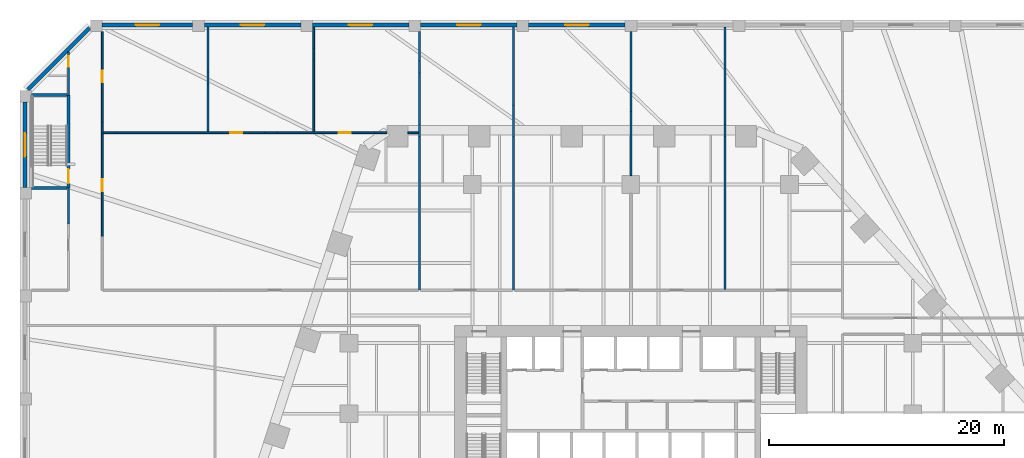
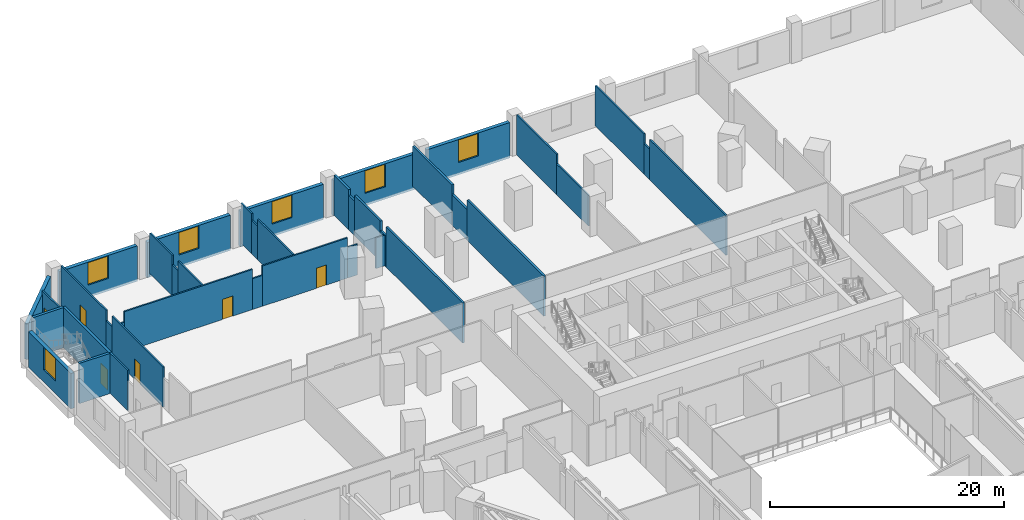
# One storey, part 23 of 32: 40 walls, 6 doors, 6 windows, 12 openings.
"""IFC4 building model written with IfcOpenShell, lengths in metres."""

from ifc_helpers import new_model, si_unit, direction, frame, frame_2d, origin, place, context, subcontext, project, spatial, rectangle, extrude, material, layer, layer_set, type_object, element, fill, save


model = new_model("IFC4")

# Units and contexts
model_context = context("Model", 3, precision=1e-05, world=origin(), true_north=direction((0.0, 1.0)))
body_context = subcontext(model_context, "Body", "Model", "MODEL_VIEW")
ifc_project = project(units=[si_unit("LENGTHUNIT", "METRE"), si_unit("AREAUNIT", "SQUARE_METRE"), si_unit("VOLUMEUNIT", "CUBIC_METRE"), si_unit("PLANEANGLEUNIT", "RADIAN"), si_unit("MASSUNIT", "GRAM", prefix="KILO")], contexts=[model_context])

# Site, building, storey
site_placement = place(None, origin())
site = spatial("IfcSite", under=ifc_project, at=site_placement, CompositionType="ELEMENT")
building_placement = place(site_placement, origin())
building = spatial("IfcBuilding", under=site, at=building_placement, Name="Isthmus Gate Tower", CompositionType="ELEMENT")
storey_placement = place(building_placement, frame((0.0, 0.0, 18.0)))
storey = spatial("IfcBuildingStorey", under=building, at=storey_placement, Name="L02", CompositionType="ELEMENT", Elevation=18.0)

# Walls
ifc_material_1 = material(Name="Concrete f'c 30 MPa", Category="concrete")
ifc_layer_1 = layer(ifc_material_1, 0.199951171875)
ifc_layer_set_1 = layer_set([ifc_layer_1], Name="Fire-rated block wall 200")
wall_type_1 = type_object("IfcWallType", Name="Fire-rated block wall 200", PredefinedType="PARTITIONING", material=ifc_layer_set_1)
wall_1_placement = place(storey_placement, frame((-18.0, 18.0, 0.0), z_axis=(0.0, 0.0, 1.0), x_axis=(0.0, 1.0, 0.0)))
element("IfcWall", 1, at=wall_1_placement, inside=storey, type_object=wall_type_1, Name="Fire-rated wall", PredefinedType="PARTITIONING", context=body_context, shape_type="SweptSolid", body=[
    extrude(rectangle(XDim=13.10009765625, YDim=0.199951171875, at=frame_2d((6.550048828125, 0.0))), origin(), (0.0, 0.0, 1.0), 4.199951171875),
])
wall_2_placement = place(storey_placement, frame((-18.0, 31.10009765625, 0.0), z_axis=(0.0, 0.0, 1.0), x_axis=(0.0, 1.0, 0.0)))
element("IfcWall", 2, at=wall_2_placement, inside=storey, type_object=wall_type_1, Name="Fire-rated wall", PredefinedType="PARTITIONING", context=body_context, shape_type="SweptSolid", body=[
    extrude(rectangle(XDim=1.0, YDim=0.199951171875, at=frame_2d((0.5, 0.0))), origin(), (0.0, 0.0, 1.0), 3.199951171875),
])
wall_3_placement = place(storey_placement, frame((-18.0, 32.10009765625, 0.0), z_axis=(0.0, 0.0, 1.0), x_axis=(0.0, 1.0, 0.0)))
element("IfcWall", 3, at=wall_3_placement, inside=storey, type_object=wall_type_1, Name="Fire-rated wall", PredefinedType="PARTITIONING", context=body_context, shape_type="SweptSolid", body=[
    extrude(rectangle(XDim=4.39990234375, YDim=0.199951171875, at=frame_2d((2.199951171875, 0.0))), origin(), (0.0, 0.0, 1.0), 4.199951171875),
])
wall_4_placement = place(storey_placement, frame((-18.0, 36.5, 0.0), z_axis=(0.0, 0.0, 1.0), x_axis=(0.0, 1.0, 0.0)))
element("IfcWall", 4, at=wall_4_placement, inside=storey, type_object=wall_type_1, Name="Fire-rated wall", PredefinedType="PARTITIONING", context=body_context, shape_type="SweptSolid", body=[
    extrude(rectangle(XDim=1.0, YDim=0.199951171875, at=frame_2d((0.5, 0.0))), origin(), (0.0, 0.0, 1.0), 3.5966796875),
])
wall_5_placement = place(storey_placement, frame((-18.0, 37.5, 0.0), z_axis=(0.0, 0.0, 1.0), x_axis=(0.0, 1.0, 0.0)))
element("IfcWall", 5, at=wall_5_placement, inside=storey, type_object=wall_type_1, Name="Fire-rated wall", PredefinedType="PARTITIONING", context=body_context, shape_type="SweptSolid", body=[
    extrude(rectangle(XDim=2.5, YDim=0.199951171875, at=frame_2d((1.25, 0.0))), origin(), (0.0, 0.0, 1.0), 4.199951171875),
])
wall_6_placement = place(storey_placement, frame((-10.0, 18.0, 0.0), z_axis=(0.0, 0.0, 1.0), x_axis=(0.0, 1.0, 0.0)))
element("IfcWall", 6, at=wall_6_placement, inside=storey, type_object=wall_type_1, Name="Fire-rated wall", PredefinedType="PARTITIONING", context=body_context, shape_type="SweptSolid", body=[
    extrude(rectangle(XDim=13.10009765625, YDim=0.199951171875, at=frame_2d((6.550048828125, 0.0))), origin(), (0.0, 0.0, 1.0), 4.199951171875),
])
wall_7_placement = place(storey_placement, frame((-10.0, 31.10009765625, 0.0), z_axis=(0.0, 0.0, 1.0), x_axis=(0.0, 1.0, 0.0)))
element("IfcWall", 7, at=wall_7_placement, inside=storey, type_object=wall_type_1, Name="Fire-rated wall", PredefinedType="PARTITIONING", context=body_context, shape_type="SweptSolid", body=[
    extrude(rectangle(XDim=2.6064453125, YDim=0.199951171875, at=frame_2d((1.30322265625, 0.0))), origin(), (0.0, 0.0, 1.0), 3.199951171875),
])
wall_8_placement = place(storey_placement, frame((-10.0, 33.70654296875, 0.0), z_axis=(0.0, 0.0, 1.0), x_axis=(0.0, 1.0, 0.0)))
element("IfcWall", 8, at=wall_8_placement, inside=storey, type_object=wall_type_1, Name="Fire-rated wall", PredefinedType="PARTITIONING", context=body_context, shape_type="SweptSolid", body=[
    extrude(rectangle(XDim=6.693359375, YDim=0.199951171875, at=frame_2d((3.3466796875, 0.0))), origin(), (0.0, 0.0, 1.0), 4.199951171875),
])
ifc_material_2 = material(Name="Fire-rated gypsum board on steel studs", Category="steel")
ifc_layer_2 = layer(ifc_material_2, 0.14990234375)
ifc_layer_set_2 = layer_set([ifc_layer_2], Name="Fire-rated partition 150 EI 60")
wall_type_2 = type_object("IfcWallType", Name="Fire-rated partition 150 EI 60", PredefinedType="PARTITIONING", material=ifc_layer_set_2)
wall_9_placement = place(storey_placement, frame((-47.875, 23.6162109375, 0.0), z_axis=(0.0, 0.0, 1.0), x_axis=(0.0, 1.0, 0.0)))
element("IfcWall", 9, at=wall_9_placement, inside=storey, type_object=wall_type_2, Name="Fire-rated partition", PredefinedType="PARTITIONING", context=body_context, shape_type="SweptSolid", body=[
    extrude(rectangle(XDim=3.083740234375, YDim=0.14990234375, at=frame_2d((1.5419921875, 0.0))), origin(), (0.0, 0.0, 1.0), 4.199951171875),
])

# Wall, opening, door
wall_10_placement = place(storey_placement, frame((-47.875, 34.60009765625, 0.0), z_axis=(0.0, 0.0, 1.0), x_axis=(0.0, 1.0, 0.0)))
wall_10 = element("IfcWall", 10, at=wall_10_placement, inside=storey, type_object=wall_type_2, Name="Fire-rated partition", PredefinedType="PARTITIONING", context=body_context, shape_type="SweptSolid", body=[
    extrude(rectangle(XDim=3.676513671875, YDim=0.14990234375, at=frame_2d((1.83837890625, 0.0))), origin(), (0.0, 0.0, 1.0), 3.66650390625),
])
opening_1_placement = place(wall_10_placement, frame((2.39990234375, 0.0, 0.0)))
opening_1 = element("IfcOpeningElement", 11, at=opening_1_placement, cuts=wall_10, Name="Opening DP02-03", PredefinedType="OPENING", context=body_context, shape_type="SweptSolid", body=[
    extrude(rectangle(XDim=0.89990234375, YDim=2.10009765625, at=frame_2d((0.449951171875, 1.050048828125))), frame((0.0, 0.0849609375, 0.0), z_axis=(0.0, -1.0, 0.0), x_axis=(1.0, 0.0, 0.0)), (0.0, 0.0, 1.0), 0.169921875),
])
ifc_material_3 = material(Name="Steel fire door with intumescent seals", Category="steel")
door_type_1 = type_object("IfcDoorType", Name="Fire door 900 x 2100", OperationType="SINGLE_SWING_LEFT", PredefinedType="DOOR", material=ifc_material_3)
door_1_placement = place(opening_1_placement, origin())
door_1 = element("IfcDoor", 12, at=door_1_placement, inside=storey, type_object=door_type_1, Name="Door DP02-03", OperationType="SINGLE_SWING_LEFT", OverallHeight=2.10009765625, OverallWidth=0.89990234375, PredefinedType="DOOR", context=body_context, shape_type="SweptSolid", body=[
    extrude(rectangle(XDim=0.89990234375, YDim=2.10009765625, at=frame_2d((0.449951171875, 1.050048828125))), frame((0.0, 0.02490234375, 0.0), z_axis=(0.0, -1.0, 0.0), x_axis=(1.0, 0.0, 0.0)), (0.0, 0.0, 1.0), 0.050048828125),
])
fill(opening_1, door_1)

wall_11_placement = place(storey_placement, frame((-45.0, 22.537353515625, 0.0), z_axis=(0.0, 0.0, 1.0), x_axis=(0.0, 1.0, 0.0)))
wall_11 = element("IfcWall", 13, at=wall_11_placement, inside=storey, type_object=wall_type_2, Name="Fire-rated partition", PredefinedType="PARTITIONING", context=body_context, shape_type="SweptSolid", body=[
    extrude(rectangle(XDim=8.758056640625, YDim=0.14990234375, at=frame_2d((4.37890625, 0.0))), origin(), (0.0, 0.0, 1.0), 4.199951171875),
])
opening_2_placement = place(wall_11_placement, frame((3.89990234375, 0.0, 0.0)))
opening_2 = element("IfcOpeningElement", 14, at=opening_2_placement, cuts=wall_11, Name="Opening DP02-41", PredefinedType="OPENING", context=body_context, shape_type="SweptSolid", body=[
    extrude(rectangle(XDim=1.0, YDim=2.10009765625, at=frame_2d((0.5, 1.050048828125))), frame((0.0, 0.0849609375, 0.0), z_axis=(0.0, -1.0, 0.0), x_axis=(1.0, 0.0, 0.0)), (0.0, 0.0, 1.0), 0.169921875),
])
ifc_material_4 = material(Name="Steel fire door with intumescent seals", Category="steel")
door_type_2 = type_object("IfcDoorType", Name="Fire door 1000 x 2100", OperationType="SINGLE_SWING_LEFT", PredefinedType="DOOR", material=ifc_material_4)
door_2_placement = place(opening_2_placement, origin())
door_2 = element("IfcDoor", 15, at=door_2_placement, inside=storey, type_object=door_type_2, Name="Door DP02-41", OperationType="SINGLE_SWING_LEFT", OverallHeight=2.10009765625, OverallWidth=1.0, PredefinedType="DOOR", context=body_context, shape_type="SweptSolid", body=[
    extrude(rectangle(XDim=1.0, YDim=2.10009765625, at=frame_2d((0.5, 1.050048828125))), frame((0.0, 0.02490234375, 0.0), z_axis=(0.0, -1.0, 0.0), x_axis=(1.0, 0.0, 0.0)), (0.0, 0.0, 1.0), 0.050048828125),
])
fill(opening_2, door_2)

# Wall
wall_12_placement = place(storey_placement, frame((-45.0, 31.29541015625, 0.0), z_axis=(0.0, 0.0, 1.0), x_axis=(0.0, 1.0, 0.0)))
element("IfcWall", 16, at=wall_12_placement, inside=storey, type_object=wall_type_2, Name="Fire-rated partition", PredefinedType="PARTITIONING", context=body_context, shape_type="SweptSolid", body=[
    extrude(rectangle(XDim=1.0, YDim=0.14990234375, at=frame_2d((0.5, 0.0))), origin(), (0.0, 0.0, 1.0), 3.111083984375),
])

# Wall, opening, door
wall_13_placement = place(storey_placement, frame((-45.0, 32.29541015625, 0.0), z_axis=(0.0, 0.0, 1.0), x_axis=(0.0, 1.0, 0.0)))
wall_13 = element("IfcWall", 17, at=wall_13_placement, inside=storey, type_object=wall_type_2, Name="Fire-rated partition", PredefinedType="PARTITIONING", context=body_context, shape_type="SweptSolid", body=[
    extrude(rectangle(XDim=7.70458984375, YDim=0.14990234375, at=frame_2d((3.852294921875, 0.0))), origin(), (0.0, 0.0, 1.0), 4.199951171875),
])
opening_3_placement = place(wall_13_placement, frame((3.39990234375, 0.0, 0.0)))
opening_3 = element("IfcOpeningElement", 18, at=opening_3_placement, cuts=wall_13, Name="Opening DP02-42", PredefinedType="OPENING", context=body_context, shape_type="SweptSolid", body=[
    extrude(rectangle(XDim=1.0, YDim=2.10009765625, at=frame_2d((0.5, 1.050048828125))), frame((0.0, 0.0849609375, 0.0), z_axis=(0.0, -1.0, 0.0), x_axis=(1.0, 0.0, 0.0)), (0.0, 0.0, 1.0), 0.169921875),
])
door_3_placement = place(opening_3_placement, origin())
door_3 = element("IfcDoor", 19, at=door_3_placement, inside=storey, type_object=door_type_2, Name="Door DP02-42", OperationType="SINGLE_SWING_LEFT", OverallHeight=2.10009765625, OverallWidth=1.0, PredefinedType="DOOR", context=body_context, shape_type="SweptSolid", body=[
    extrude(rectangle(XDim=1.0, YDim=2.10009765625, at=frame_2d((0.5, 1.050048828125))), frame((0.0, 0.02490234375, 0.0), z_axis=(0.0, -1.0, 0.0), x_axis=(1.0, 0.0, 0.0)), (0.0, 0.0, 1.0), 0.050048828125),
])
fill(opening_3, door_3)

# Wall, opening, window
ifc_material_5 = material(Name="Precast concrete C40/50, limestone-faced", Category="masonry")
ifc_layer_3 = layer(ifc_material_5, 0.35009765625)
ifc_layer_set_3 = layer_set([ifc_layer_3], Name="PODIUM CLADDING WALL 350")
wall_type_3 = type_object("IfcWallType", Name="PODIUM CLADDING WALL 350", PredefinedType="SOLIDWALL", material=ifc_layer_set_3)
wall_14_placement = place(storey_placement, frame((-0.5, 40.574951171875, -0.39990234375), z_axis=(0.0, 0.0, 1.0), x_axis=(-1.0, 0.0, 0.0)))
wall_14 = element("IfcWall", 20, at=wall_14_placement, inside=storey, type_object=wall_type_3, Name="PODIUM WALL", PredefinedType="SOLIDWALL", context=body_context, shape_type="SweptSolid", body=[
    extrude(rectangle(XDim=8.199951171875, YDim=0.35009765625, at=frame_2d((4.10009765625, 0.0))), origin(), (0.0, 0.0, 1.0), 3.699951171875),
])
opening_4_placement = place(wall_14_placement, frame((3.10009765625, 0.0, 1.300048828125)))
opening_4 = element("IfcOpeningElement", 21, at=opening_4_placement, cuts=wall_14, Name="Opening W022", PredefinedType="OPENING", context=body_context, shape_type="SweptSolid", body=[
    extrude(rectangle(XDim=2.0, YDim=2.35009765625, at=frame_2d((1.0, 1.175048828125))), frame((0.0, 0.18505859375, 0.0), z_axis=(0.0, -1.0, 0.0), x_axis=(1.0, 0.0, 0.0)), (0.0, 0.0, 1.0), 0.3701171875),
])
ifc_material_6 = material(Name="Aluminium, pale champagne anodised, laminated glass", Category="aluminium")
window_type = type_object("IfcWindowType", Name="PODIUM SLOT WINDOW 2000 X 2350", PartitioningType="SINGLE_PANEL", PredefinedType="WINDOW", material=ifc_material_6)
window_1_placement = place(opening_4_placement, origin())
window_1 = element("IfcWindow", 22, at=window_1_placement, inside=storey, type_object=window_type, Name="SLOT WINDOW", OverallHeight=2.35009765625, OverallWidth=2.0, PartitioningType="SINGLE_PANEL", PredefinedType="WINDOW", context=body_context, shape_type="SweptSolid", body=[
    extrude(rectangle(XDim=2.0, YDim=2.35009765625, at=frame_2d((1.0, 1.175048828125))), frame((0.0, 0.030029296875, 0.0), z_axis=(0.0, -1.0, 0.0), x_axis=(1.0, 0.0, 0.0)), (0.0, 0.0, 1.0), 0.06005859375),
])
fill(opening_4, window_1)

wall_15_placement = place(storey_placement, frame((-9.699951171875, 40.574951171875, -0.39990234375), z_axis=(0.0, 0.0, 1.0), x_axis=(-1.0, 0.0, 0.0)))
wall_15 = element("IfcWall", 23, at=wall_15_placement, inside=storey, type_object=wall_type_3, Name="PODIUM WALL", PredefinedType="SOLIDWALL", context=body_context, shape_type="SweptSolid", body=[
    extrude(rectangle(XDim=8.199951171875, YDim=0.35009765625, at=frame_2d((4.10009765625, 0.0))), origin(), (0.0, 0.0, 1.0), 3.699951171875),
])
opening_5_placement = place(wall_15_placement, frame((3.10009765625, 0.0, 1.300048828125)))
opening_5 = element("IfcOpeningElement", 24, at=opening_5_placement, cuts=wall_15, Name="Opening W023", PredefinedType="OPENING", context=body_context, shape_type="SweptSolid", body=[
    extrude(rectangle(XDim=2.0, YDim=2.35009765625, at=frame_2d((1.0, 1.175048828125))), frame((0.0, 0.18505859375, 0.0), z_axis=(0.0, -1.0, 0.0), x_axis=(1.0, 0.0, 0.0)), (0.0, 0.0, 1.0), 0.3701171875),
])
window_2_placement = place(opening_5_placement, origin())
window_2 = element("IfcWindow", 25, at=window_2_placement, inside=storey, type_object=window_type, Name="SLOT WINDOW", OverallHeight=2.35009765625, OverallWidth=2.0, PartitioningType="SINGLE_PANEL", PredefinedType="WINDOW", context=body_context, shape_type="SweptSolid", body=[
    extrude(rectangle(XDim=2.0, YDim=2.35009765625, at=frame_2d((1.0, 1.175048828125))), frame((0.0, 0.030029296875, 0.0), z_axis=(0.0, -1.0, 0.0), x_axis=(1.0, 0.0, 0.0)), (0.0, 0.0, 1.0), 0.06005859375),
])
fill(opening_5, window_2)

wall_16_placement = place(storey_placement, frame((-18.89990234375, 40.574951171875, -0.39990234375), z_axis=(0.0, 0.0, 1.0), x_axis=(-1.0, 0.0, 0.0)))
wall_16 = element("IfcWall", 26, at=wall_16_placement, inside=storey, type_object=wall_type_3, Name="PODIUM WALL", PredefinedType="SOLIDWALL", context=body_context, shape_type="SweptSolid", body=[
    extrude(rectangle(XDim=8.2001953125, YDim=0.35009765625, at=frame_2d((4.10009765625, 0.0))), origin(), (0.0, 0.0, 1.0), 3.699951171875),
])
opening_6_placement = place(wall_16_placement, frame((3.10009765625, 0.0, 1.300048828125)))
opening_6 = element("IfcOpeningElement", 27, at=opening_6_placement, cuts=wall_16, Name="Opening W024", PredefinedType="OPENING", context=body_context, shape_type="SweptSolid", body=[
    extrude(rectangle(XDim=2.0, YDim=2.35009765625, at=frame_2d((1.0, 1.175048828125))), frame((0.0, 0.18505859375, 0.0), z_axis=(0.0, -1.0, 0.0), x_axis=(1.0, 0.0, 0.0)), (0.0, 0.0, 1.0), 0.3701171875),
])
window_3_placement = place(opening_6_placement, origin())
window_3 = element("IfcWindow", 28, at=window_3_placement, inside=storey, type_object=window_type, Name="SLOT WINDOW", OverallHeight=2.35009765625, OverallWidth=2.0, PartitioningType="SINGLE_PANEL", PredefinedType="WINDOW", context=body_context, shape_type="SweptSolid", body=[
    extrude(rectangle(XDim=2.0, YDim=2.35009765625, at=frame_2d((1.0, 1.175048828125))), frame((0.0, 0.030029296875, 0.0), z_axis=(0.0, -1.0, 0.0), x_axis=(1.0, 0.0, 0.0)), (0.0, 0.0, 1.0), 0.06005859375),
])
fill(opening_6, window_3)

wall_17_placement = place(storey_placement, frame((-28.10009765625, 40.574951171875, -0.39990234375), z_axis=(0.0, 0.0, 1.0), x_axis=(-1.0, 0.0, 0.0)))
wall_17 = element("IfcWall", 29, at=wall_17_placement, inside=storey, type_object=wall_type_3, Name="PODIUM WALL", PredefinedType="SOLIDWALL", context=body_context, shape_type="SweptSolid", body=[
    extrude(rectangle(XDim=8.199951171875, YDim=0.35009765625, at=frame_2d((4.10009765625, 0.0))), origin(), (0.0, 0.0, 1.0), 3.699951171875),
])
opening_7_placement = place(wall_17_placement, frame((3.10009765625, 0.0, 1.300048828125)))
opening_7 = element("IfcOpeningElement", 30, at=opening_7_placement, cuts=wall_17, Name="Opening W025", PredefinedType="OPENING", context=body_context, shape_type="SweptSolid", body=[
    extrude(rectangle(XDim=2.0, YDim=2.35009765625, at=frame_2d((1.0, 1.175048828125))), frame((0.0, 0.18505859375, 0.0), z_axis=(0.0, -1.0, 0.0), x_axis=(1.0, 0.0, 0.0)), (0.0, 0.0, 1.0), 0.3701171875),
])
window_4_placement = place(opening_7_placement, origin())
window_4 = element("IfcWindow", 31, at=window_4_placement, inside=storey, type_object=window_type, Name="SLOT WINDOW", OverallHeight=2.35009765625, OverallWidth=2.0, PartitioningType="SINGLE_PANEL", PredefinedType="WINDOW", context=body_context, shape_type="SweptSolid", body=[
    extrude(rectangle(XDim=2.0, YDim=2.35009765625, at=frame_2d((1.0, 1.175048828125))), frame((0.0, 0.030029296875, 0.0), z_axis=(0.0, -1.0, 0.0), x_axis=(1.0, 0.0, 0.0)), (0.0, 0.0, 1.0), 0.06005859375),
])
fill(opening_7, window_4)

wall_18_placement = place(storey_placement, frame((-37.300048828125, 40.574951171875, -0.39990234375), z_axis=(0.0, 0.0, 1.0), x_axis=(-1.0, 0.0, 0.0)))
wall_18 = element("IfcWall", 32, at=wall_18_placement, inside=storey, type_object=wall_type_3, Name="PODIUM WALL", PredefinedType="SOLIDWALL", context=body_context, shape_type="SweptSolid", body=[
    extrude(rectangle(XDim=7.699951171875, YDim=0.35009765625, at=frame_2d((3.85009765625, 0.0))), origin(), (0.0, 0.0, 1.0), 3.699951171875),
])
opening_8_placement = place(wall_18_placement, frame((2.85009765625, 0.0, 1.300048828125)))
opening_8 = element("IfcOpeningElement", 33, at=opening_8_placement, cuts=wall_18, Name="Opening W026", PredefinedType="OPENING", context=body_context, shape_type="SweptSolid", body=[
    extrude(rectangle(XDim=2.0, YDim=2.35009765625, at=frame_2d((1.0, 1.175048828125))), frame((0.0, 0.18505859375, 0.0), z_axis=(0.0, -1.0, 0.0), x_axis=(1.0, 0.0, 0.0)), (0.0, 0.0, 1.0), 0.3701171875),
])
window_5_placement = place(opening_8_placement, origin())
window_5 = element("IfcWindow", 34, at=window_5_placement, inside=storey, type_object=window_type, Name="SLOT WINDOW", OverallHeight=2.35009765625, OverallWidth=2.0, PartitioningType="SINGLE_PANEL", PredefinedType="WINDOW", context=body_context, shape_type="SweptSolid", body=[
    extrude(rectangle(XDim=2.0, YDim=2.35009765625, at=frame_2d((1.0, 1.175048828125))), frame((0.0, 0.030029296875, 0.0), z_axis=(0.0, -1.0, 0.0), x_axis=(1.0, 0.0, 0.0)), (0.0, 0.0, 1.0), 0.06005859375),
])
fill(opening_8, window_5)

# Wall
wall_19_placement = place(storey_placement, frame((-46.071533203125, 40.327392578125, -0.39990234375), z_axis=(0.0, 0.0, 1.0), x_axis=(-0.707106781187, -0.707106781187, 0.0)))
element("IfcWall", 35, at=wall_19_placement, inside=storey, type_object=wall_type_3, Name="PODIUM WALL", PredefinedType="SOLIDWALL", context=body_context, shape_type="SweptSolid", body=[
    extrude(rectangle(XDim=7.432861328125, YDim=0.35009765625, at=frame_2d((3.71630859375, 0.0))), origin(), (0.0, 0.0, 1.0), 3.699951171875),
])

# Wall, opening, window
wall_20_placement = place(storey_placement, frame((-51.574951171875, 34.0, -0.39990234375), z_axis=(0.0, 0.0, 1.0), x_axis=(0.0, -1.0, 0.0)))
wall_20 = element("IfcWall", 36, at=wall_20_placement, inside=storey, type_object=wall_type_3, Name="PODIUM WALL", PredefinedType="SOLIDWALL", context=body_context, shape_type="SweptSolid", body=[
    extrude(rectangle(XDim=7.25, YDim=0.35009765625, at=frame_2d((3.625, 0.0))), origin(), (0.0, 0.0, 1.0), 3.699951171875),
])
opening_9_placement = place(wall_20_placement, frame((2.625, 0.0, 1.300048828125)))
opening_9 = element("IfcOpeningElement", 37, at=opening_9_placement, cuts=wall_20, Name="Opening W027", PredefinedType="OPENING", context=body_context, shape_type="SweptSolid", body=[
    extrude(rectangle(XDim=2.0, YDim=2.35009765625, at=frame_2d((1.0, 1.175048828125))), frame((0.0, 0.18505859375, 0.0), z_axis=(0.0, -1.0, 0.0), x_axis=(1.0, 0.0, 0.0)), (0.0, 0.0, 1.0), 0.3701171875),
])
window_6_placement = place(opening_9_placement, origin())
window_6 = element("IfcWindow", 38, at=window_6_placement, inside=storey, type_object=window_type, Name="SLOT WINDOW", OverallHeight=2.35009765625, OverallWidth=2.0, PartitioningType="SINGLE_PANEL", PredefinedType="WINDOW", context=body_context, shape_type="SweptSolid", body=[
    extrude(rectangle(XDim=2.0, YDim=2.35009765625, at=frame_2d((1.0, 1.175048828125))), frame((0.0, 0.030029296875, 0.0), z_axis=(0.0, -1.0, 0.0), x_axis=(1.0, 0.0, 0.0)), (0.0, 0.0, 1.0), 0.06005859375),
])
fill(opening_9, window_6)

# Wall
ifc_material_7 = material(Name="Gypsum board on cold-formed steel studs", Category="steel")
ifc_layer_4 = layer(ifc_material_7, 0.14990234375)
ifc_layer_set_4 = layer_set([ifc_layer_4])
wall_type_4 = type_object("IfcWallType", Name="Partition 150 gypsum board on steel studs", PredefinedType="PARTITIONING", material=ifc_layer_set_4)
wall_21_placement = place(storey_placement, frame((-44.925048828125, 31.39990234375, 0.0), z_axis=(0.0, 0.0, 1.0), x_axis=(1.0, 0.0, 0.0)))
element("IfcWall", 39, at=wall_21_placement, inside=storey, type_object=wall_type_4, Name="Partition", PredefinedType="PARTITIONING", context=body_context, shape_type="SweptSolid", body=[
    extrude(rectangle(XDim=1.123046875, YDim=0.14990234375, at=frame_2d((0.5615234375, 0.0))), origin(), (0.0, 0.0, 1.0), 3.111083984375),
])

# Wall, opening, door
wall_22_placement = place(storey_placement, frame((-43.802001953125, 31.39990234375, 0.0), z_axis=(0.0, 0.0, 1.0), x_axis=(1.0, 0.0, 0.0)))
wall_22 = element("IfcWall", 40, at=wall_22_placement, inside=storey, type_object=wall_type_4, Name="Partition", PredefinedType="PARTITIONING", context=body_context, shape_type="SweptSolid", body=[
    extrude(rectangle(XDim=12.64013671875, YDim=0.14990234375, at=frame_2d((6.320068359375, 0.0))), origin(), (0.0, 0.0, 1.0), 4.199951171875),
])
opening_10_placement = place(wall_22_placement, frame((9.7021484375, 0.0, 0.0)))
opening_10 = element("IfcOpeningElement", 41, at=opening_10_placement, cuts=wall_22, Name="Opening DP02-62", PredefinedType="OPENING", context=body_context, shape_type="SweptSolid", body=[
    extrude(rectangle(XDim=1.0, YDim=2.10009765625, at=frame_2d((0.5, 1.050048828125))), frame((0.0, 0.0849609375, 0.0), z_axis=(0.0, -1.0, 0.0), x_axis=(1.0, 0.0, 0.0)), (0.0, 0.0, 1.0), 0.169921875),
])
ifc_material_8 = material(Name="Hollow metal frame with solid-core timber leaf", Category="wood")
door_type_3 = type_object("IfcDoorType", Name="Single swing door 1000 x 2100", OperationType="SINGLE_SWING_LEFT", PredefinedType="DOOR", material=ifc_material_8)
door_4_placement = place(opening_10_placement, origin())
door_4 = element("IfcDoor", 42, at=door_4_placement, inside=storey, type_object=door_type_3, Name="Door DP02-62", OperationType="SINGLE_SWING_LEFT", OverallHeight=2.10009765625, OverallWidth=1.0, PredefinedType="DOOR", context=body_context, shape_type="SweptSolid", body=[
    extrude(rectangle(XDim=1.0, YDim=2.10009765625, at=frame_2d((0.5, 1.050048828125))), frame((0.0, 0.02490234375, 0.0), z_axis=(0.0, -1.0, 0.0), x_axis=(1.0, 0.0, 0.0)), (0.0, 0.0, 1.0), 0.050048828125),
])
fill(opening_10, door_4)

# Wall
wall_23_placement = place(storey_placement, frame((-31.161865234375, 31.39990234375, 0.0), z_axis=(0.0, 0.0, 1.0), x_axis=(1.0, 0.0, 0.0)))
element("IfcWall", 43, at=wall_23_placement, inside=storey, type_object=wall_type_4, Name="Partition", PredefinedType="PARTITIONING", context=body_context, shape_type="SweptSolid", body=[
    extrude(rectangle(XDim=1.0, YDim=0.14990234375, at=frame_2d((0.5, 0.0))), origin(), (0.0, 0.0, 1.0), 3.218994140625),
])

# Wall, opening, door
wall_24_placement = place(storey_placement, frame((-30.161865234375, 31.39990234375, 0.0), z_axis=(0.0, 0.0, 1.0), x_axis=(1.0, 0.0, 0.0)))
wall_24 = element("IfcWall", 44, at=wall_24_placement, inside=storey, type_object=wall_type_4, Name="Partition", PredefinedType="PARTITIONING", context=body_context, shape_type="SweptSolid", body=[
    extrude(rectangle(XDim=8.3857421875, YDim=0.14990234375, at=frame_2d((4.19287109375, 0.0))), origin(), (0.0, 0.0, 1.0), 4.199951171875),
])
opening_11_placement = place(wall_24_placement, frame((5.31201171875, 0.0, 0.0)))
opening_11 = element("IfcOpeningElement", 45, at=opening_11_placement, cuts=wall_24, Name="Opening DP02-63", PredefinedType="OPENING", context=body_context, shape_type="SweptSolid", body=[
    extrude(rectangle(XDim=1.0, YDim=2.10009765625, at=frame_2d((0.5, 1.050048828125))), frame((0.0, 0.0849609375, 0.0), z_axis=(0.0, -1.0, 0.0), x_axis=(1.0, 0.0, 0.0)), (0.0, 0.0, 1.0), 0.169921875),
])
door_5_placement = place(opening_11_placement, origin())
door_5 = element("IfcDoor", 46, at=door_5_placement, inside=storey, type_object=door_type_3, Name="Door DP02-63", OperationType="SINGLE_SWING_LEFT", OverallHeight=2.10009765625, OverallWidth=1.0, PredefinedType="DOOR", context=body_context, shape_type="SweptSolid", body=[
    extrude(rectangle(XDim=1.0, YDim=2.10009765625, at=frame_2d((0.5, 1.050048828125))), frame((0.0, 0.02490234375, 0.0), z_axis=(0.0, -1.0, 0.0), x_axis=(1.0, 0.0, 0.0)), (0.0, 0.0, 1.0), 0.050048828125),
])
fill(opening_11, door_5)

# Walls
wall_25_placement = place(storey_placement, frame((-21.776123046875, 31.39990234375, 0.0), z_axis=(0.0, 0.0, 1.0), x_axis=(1.0, 0.0, 0.0)))
element("IfcWall", 47, at=wall_25_placement, inside=storey, type_object=wall_type_4, Name="Partition", PredefinedType="PARTITIONING", context=body_context, shape_type="SweptSolid", body=[
    extrude(rectangle(XDim=1.0, YDim=0.14990234375, at=frame_2d((0.5, 0.0))), origin(), (0.0, 0.0, 1.0), 3.199951171875),
])
wall_26_placement = place(storey_placement, frame((-18.976318359375, 31.39990234375, 0.0), z_axis=(0.0, 0.0, 1.0), x_axis=(1.0, 0.0, 0.0)))
element("IfcWall", 48, at=wall_26_placement, inside=storey, type_object=wall_type_4, Name="Partition", PredefinedType="PARTITIONING", context=body_context, shape_type="SweptSolid", body=[
    extrude(rectangle(XDim=0.876220703125, YDim=0.14990234375, at=frame_2d((0.43798828125, 0.0))), origin(), (0.0, 0.0, 1.0), 3.199951171875),
])
wall_27_placement = place(storey_placement, frame((-36.0, 31.47509765625, 0.0), z_axis=(0.0, 0.0, 1.0), x_axis=(0.0, 1.0, 0.0)))
element("IfcWall", 49, at=wall_27_placement, inside=storey, type_object=wall_type_4, Name="Partition", PredefinedType="PARTITIONING", context=body_context, shape_type="SweptSolid", body=[
    extrude(rectangle(XDim=4.088623046875, YDim=0.14990234375, at=frame_2d((2.04443359375, 0.0))), origin(), (0.0, 0.0, 1.0), 4.199951171875),
])
wall_28_placement = place(storey_placement, frame((-36.0, 35.563720703125, 0.0), z_axis=(0.0, 0.0, 1.0), x_axis=(0.0, 1.0, 0.0)))
element("IfcWall", 50, at=wall_28_placement, inside=storey, type_object=wall_type_4, Name="Partition", PredefinedType="PARTITIONING", context=body_context, shape_type="SweptSolid", body=[
    extrude(rectangle(XDim=1.0, YDim=0.14990234375, at=frame_2d((0.5, 0.0))), origin(), (0.0, 0.0, 1.0), 3.218994140625),
])
wall_29_placement = place(storey_placement, frame((-36.0, 36.563720703125, 0.0), z_axis=(0.0, 0.0, 1.0), x_axis=(0.0, 1.0, 0.0)))
element("IfcWall", 51, at=wall_29_placement, inside=storey, type_object=wall_type_4, Name="Partition", PredefinedType="PARTITIONING", context=body_context, shape_type="SweptSolid", body=[
    extrude(rectangle(XDim=3.836181640625, YDim=0.14990234375, at=frame_2d((1.91796875, 0.0))), origin(), (0.0, 0.0, 1.0), 4.199951171875),
])
wall_30_placement = place(storey_placement, frame((-27.0, 31.47509765625, 0.0), z_axis=(0.0, 0.0, 1.0), x_axis=(0.0, 1.0, 0.0)))
element("IfcWall", 52, at=wall_30_placement, inside=storey, type_object=wall_type_4, Name="Partition", PredefinedType="PARTITIONING", context=body_context, shape_type="SweptSolid", body=[
    extrude(rectangle(XDim=6.08349609375, YDim=0.14990234375, at=frame_2d((3.041748046875, 0.0))), origin(), (0.0, 0.0, 1.0), 4.199951171875),
])
wall_31_placement = place(storey_placement, frame((-27.0, 37.55859375, 0.0), z_axis=(0.0, 0.0, 1.0), x_axis=(0.0, 1.0, 0.0)))
element("IfcWall", 53, at=wall_31_placement, inside=storey, type_object=wall_type_4, Name="Partition", PredefinedType="PARTITIONING", context=body_context, shape_type="SweptSolid", body=[
    extrude(rectangle(XDim=1.0, YDim=0.14990234375, at=frame_2d((0.5, 0.0))), origin(), (0.0, 0.0, 1.0), 3.5205078125),
])
wall_32_placement = place(storey_placement, frame((-27.0, 38.55859375, 0.0), z_axis=(0.0, 0.0, 1.0), x_axis=(0.0, 1.0, 0.0)))
element("IfcWall", 54, at=wall_32_placement, inside=storey, type_object=wall_type_4, Name="Partition", PredefinedType="PARTITIONING", context=body_context, shape_type="SweptSolid", body=[
    extrude(rectangle(XDim=1.84130859375, YDim=0.14990234375, at=frame_2d((0.920654296875, 0.0))), origin(), (0.0, 0.0, 1.0), 4.199951171875),
])
wall_33_placement = place(storey_placement, frame((0.0, 27.75, 0.0), z_axis=(0.0, 0.0, 1.0), x_axis=(0.0, 1.0, 0.0)))
element("IfcWall", 55, at=wall_33_placement, inside=storey, type_object=wall_type_4, Name="Partition", PredefinedType="PARTITIONING", context=body_context, shape_type="SweptSolid", body=[
    extrude(rectangle(XDim=5.453125, YDim=0.14990234375, at=frame_2d((2.7265625, 0.0))), origin(), (0.0, 0.0, 1.0), 3.199951171875),
])
wall_34_placement = place(storey_placement, frame((0.0, 33.203125, 0.0), z_axis=(0.0, 0.0, 1.0), x_axis=(0.0, 1.0, 0.0)))
element("IfcWall", 56, at=wall_34_placement, inside=storey, type_object=wall_type_4, Name="Partition", PredefinedType="PARTITIONING", context=body_context, shape_type="SweptSolid", body=[
    extrude(rectangle(XDim=6.796875, YDim=0.14990234375, at=frame_2d((3.3984375, 0.0))), origin(), (0.0, 0.0, 1.0), 4.199951171875),
])
wall_35_placement = place(storey_placement, frame((8.0, 18.074951171875, 0.0), z_axis=(0.0, 0.0, 1.0), x_axis=(0.0, 1.0, 0.0)))
element("IfcWall", 57, at=wall_35_placement, inside=storey, type_object=wall_type_4, Name="Partition", PredefinedType="PARTITIONING", context=body_context, shape_type="SweptSolid", body=[
    extrude(rectangle(XDim=13.025146484375, YDim=0.14990234375, at=frame_2d((6.5126953125, 0.0))), origin(), (0.0, 0.0, 1.0), 4.199951171875),
])
wall_36_placement = place(storey_placement, frame((8.0, 31.10009765625, 0.0), z_axis=(0.0, 0.0, 1.0), x_axis=(0.0, 1.0, 0.0)))
element("IfcWall", 58, at=wall_36_placement, inside=storey, type_object=wall_type_4, Name="Partition", PredefinedType="PARTITIONING", context=body_context, shape_type="SweptSolid", body=[
    extrude(rectangle(XDim=1.0, YDim=0.14990234375, at=frame_2d((0.5, 0.0))), origin(), (0.0, 0.0, 1.0), 3.199951171875),
])
wall_37_placement = place(storey_placement, frame((8.0, 32.10009765625, 0.0), z_axis=(0.0, 0.0, 1.0), x_axis=(0.0, 1.0, 0.0)))
element("IfcWall", 59, at=wall_37_placement, inside=storey, type_object=wall_type_4, Name="Partition", PredefinedType="PARTITIONING", context=body_context, shape_type="SweptSolid", body=[
    extrude(rectangle(XDim=8.2998046875, YDim=0.14990234375, at=frame_2d((4.14990234375, 0.0))), origin(), (0.0, 0.0, 1.0), 4.199951171875),
])
ifc_material_9 = material(Name="Concrete f'c 40 MPa", Category="concrete")
ifc_layer_5 = layer(ifc_material_9, 0.25)
ifc_layer_set_5 = layer_set([ifc_layer_5])
wall_type_5 = type_object("IfcWallType", Name="Stair shaft wall 250 reinforced concrete", PredefinedType="SHEAR", material=ifc_layer_set_5)
for number, where, z_axis, x_axis, name in (
    (60, (-51.0, 26.699951171875, 0.0), (0.0, 0.0, 1.0), (1.0, 0.0, 0.0), "Stair shaft wall"),
    (61, (-51.0, 34.60009765625, 0.0), (0.0, 0.0, 1.0), (1.0, 0.0, 0.0), "Stair shaft wall"),
):
    element("IfcWall", number, at=place(storey_placement, frame(where, z_axis=z_axis, x_axis=x_axis)), inside=storey, type_object=wall_type_5, Name=name, PredefinedType="SHEAR", context=body_context, shape_type="SweptSolid", body=[
        extrude(rectangle(XDim=3.0, YDim=0.25, at=frame_2d((1.5, 0.0))), origin(), (0.0, 0.0, 1.0), 4.199951171875),
    ])

# Wall, opening, door
wall_38_placement = place(storey_placement, frame((-47.875, 26.699951171875, 0.0), z_axis=(0.0, 0.0, 1.0), x_axis=(0.0, 1.0, 0.0)))
wall_38 = element("IfcWall", 62, at=wall_38_placement, inside=storey, type_object=wall_type_5, Name="Stair shaft wall", PredefinedType="SHEAR", context=body_context, shape_type="SweptSolid", body=[
    extrude(rectangle(XDim=7.900146484375, YDim=0.25, at=frame_2d((3.9501953125, 0.0))), origin(), (0.0, 0.0, 1.0), 4.199951171875),
])
opening_12_placement = place(wall_38_placement, frame((0.39990234375, 0.0, 0.0)))
opening_12 = element("IfcOpeningElement", 63, at=opening_12_placement, cuts=wall_38, Name="Opening DP02-01", PredefinedType="OPENING", context=body_context, shape_type="SweptSolid", body=[
    extrude(rectangle(XDim=1.199951171875, YDim=2.10009765625, at=frame_2d((0.60009765625, 1.050048828125))), frame((0.0, 0.135009765625, 0.0), z_axis=(0.0, -1.0, 0.0), x_axis=(1.0, 0.0, 0.0)), (0.0, 0.0, 1.0), 0.27001953125),
])
ifc_material_10 = material(Name="Steel fire door with intumescent seals", Category="steel")
door_type_4 = type_object("IfcDoorType", Name="Fire door 1200 x 2100", OperationType="SINGLE_SWING_LEFT", PredefinedType="DOOR", material=ifc_material_10)
door_6_placement = place(opening_12_placement, origin())
door_6 = element("IfcDoor", 64, at=door_6_placement, inside=storey, type_object=door_type_4, Name="Door DP02-01", OperationType="SINGLE_SWING_LEFT", OverallHeight=2.10009765625, OverallWidth=1.199951171875, PredefinedType="DOOR", context=body_context, shape_type="SweptSolid", body=[
    extrude(rectangle(XDim=1.199951171875, YDim=2.10009765625, at=frame_2d((0.60009765625, 1.050048828125))), frame((0.0, 0.02490234375, 0.0), z_axis=(0.0, -1.0, 0.0), x_axis=(1.0, 0.0, 0.0)), (0.0, 0.0, 1.0), 0.050048828125),
])
fill(opening_12, door_6)

save(model, "model.ifc")
